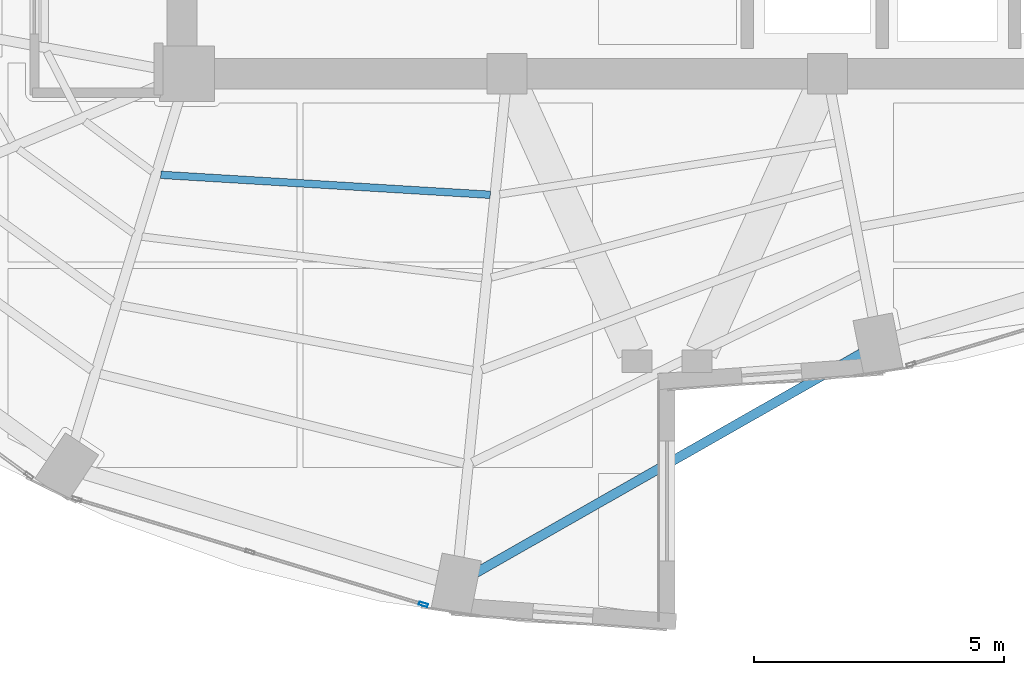
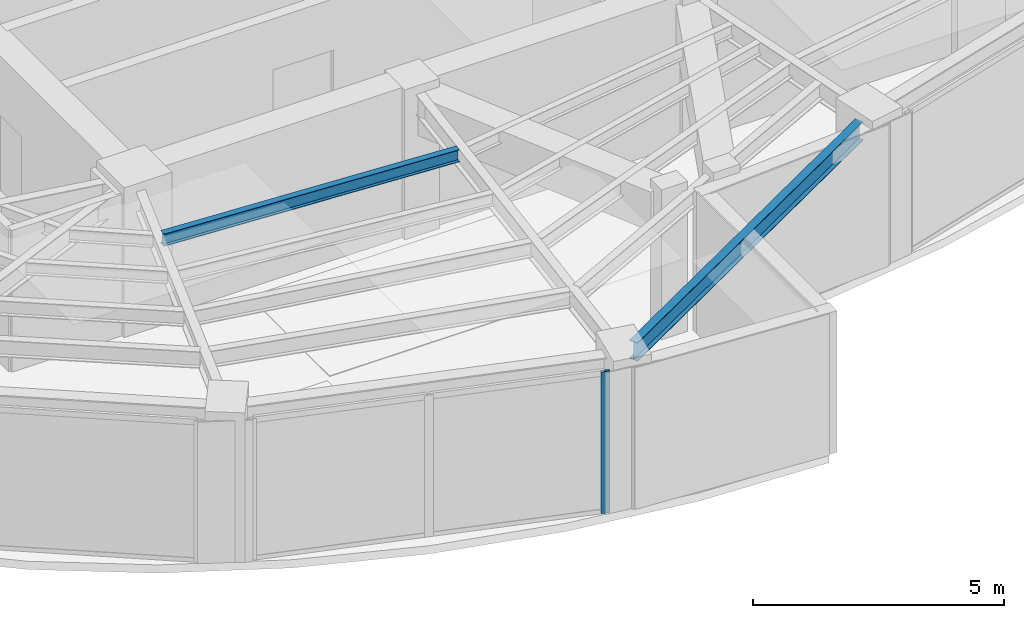
# One storey, part 5 of 22: 2 beams, 1 member, 1 element without a shape of its own.
"""IFC4 building model written with IfcOpenShell, lengths in metres."""

from ifc_helpers import new_model, si_unit, direction, frame, origin, origin_2d, place, context, subcontext, project, spatial, hollow_rectangle, i_section, extrude, material, layer, layer_set, material_profile, profile_set, type_object, element, aggregate, save


model = new_model("IFC4")

# Units and contexts
model_context = context("Model", 3, precision=1e-05, world=origin(), true_north=direction((0.0, 1.0)))
body_context = subcontext(model_context, "Body", "Model", "MODEL_VIEW")
ifc_project = project(units=[si_unit("LENGTHUNIT", "METRE"), si_unit("AREAUNIT", "SQUARE_METRE"), si_unit("VOLUMEUNIT", "CUBIC_METRE"), si_unit("PLANEANGLEUNIT", "RADIAN"), si_unit("MASSUNIT", "GRAM", prefix="KILO")], contexts=[model_context])

# Site, building, storey
site_placement = place(None, origin())
site = spatial("IfcSite", under=ifc_project, at=site_placement, CompositionType="ELEMENT")
building_placement = place(site_placement, origin())
building = spatial("IfcBuilding", under=site, at=building_placement, Name="Lazwardi Medical Tower", CompositionType="ELEMENT")
storey_placement = place(building_placement, frame((0.0, 0.0, 227.6640625)))
storey = spatial("IfcBuildingStorey", under=building, at=storey_placement, Name="L59", CompositionType="ELEMENT", Elevation=227.6640625)

# Beams
ifc_material_1 = material(Name="Steel S355", Category="steel")
ifc_material_profile_1 = material_profile(ifc_material_1, i_section(OverallWidth=0.14990234375, OverallDepth=0.300048828125, WebThickness=0.007080078125, FlangeThickness=0.0107421875, at=origin_2d()), Name="IPE 300")
ifc_profile_set_1 = profile_set([ifc_material_profile_1], Name="Steel S355")
beam_type_1 = type_object("IfcBeamType", Name="BM-SJ-03", PredefinedType="JOIST", material=ifc_profile_set_1)
beam_1_placement = place(storey_placement, frame((25.879150390625, 18.3798828125, 3.2978515625), z_axis=(0.998165515862, -0.060544223044, 0.0), x_axis=(0.060544223044, 0.998165515862, 0.0)))
element("IfcBeam", 1, at=beam_1_placement, inside=storey, type_object=beam_type_1, Name="Secondary joist SJ-03 R4 B15 L59", PredefinedType="JOIST", context=body_context, shape_type="SweptSolid", body=[
    extrude(i_section(OverallWidth=0.14990234375, OverallDepth=0.300048828125, WebThickness=0.007080078125, FlangeThickness=0.0107421875, at=origin_2d()), origin(), (0.0, 0.0, 1.0), 6.59716796875),
])
ifc_material_profile_2 = material_profile(ifc_material_1, i_section(OverallWidth=0.18994140625, OverallDepth=0.449951171875, WebThickness=0.009521484375, FlangeThickness=0.0146484375, at=origin_2d()), Name="IPE 450")
ifc_profile_set_2 = profile_set([ifc_material_profile_2], Name="Steel S355")
beam_type_2 = type_object("IfcBeamType", Name="BM-SP-01", PredefinedType="SPANDREL", material=ifc_profile_set_2)
beam_2_placement = place(storey_placement, frame((32.125, 10.394775390625, 3.222900390625), z_axis=(0.868954808466, 0.494891443494, 0.0), x_axis=(-0.494891443494, 0.868954808466, 0.0)))
element("IfcBeam", 2, at=beam_2_placement, inside=storey, type_object=beam_type_2, Name="Spandrel beam SP-01 B16 L59", PredefinedType="SPANDREL", context=body_context, shape_type="SweptSolid", body=[
    extrude(i_section(OverallWidth=0.18994140625, OverallDepth=0.449951171875, WebThickness=0.009521484375, FlangeThickness=0.0146484375, at=origin_2d()), origin(), (0.0, 0.0, 1.0), 8.918701171875),
])

# Curtain wall, member
ifc_material_2 = material(Name="Anodised bronze aluminium and solar control glazing", Category="aluminium")
ifc_layer = layer(ifc_material_2, 0.18994140625)
ifc_layer_set = layer_set([ifc_layer], Name="Anodised bronze aluminium and solar control glazing")
curtain_wall_type = type_object("IfcCurtainWallType", Name="CW-SYS-04", PredefinedType="NOTDEFINED", material=ifc_layer_set)
curtain_wall_placement = place(storey_placement, origin())
curtain_wall = element("IfcCurtainWall", 3, at=curtain_wall_placement, inside=storey, type_object=curtain_wall_type, Name="L59 Unitised bronze curtain wall CW-04", PredefinedType="NOTDEFINED")
ifc_material_3 = material(Name="Anodised bronze aluminium", Category="aluminium")
ifc_material_profile_3 = material_profile(ifc_material_3, hollow_rectangle(XDim=0.06494140625, YDim=0.179931640625, WallThickness=0.00390625, at=origin_2d()), Name="ALU-MULLION 180x65x4")
ifc_profile_set_3 = profile_set([ifc_material_profile_3], Name="Anodised bronze aluminium")
member_type = type_object("IfcMemberType", Name="CW-MUL-03", PredefinedType="MULLION", material=ifc_profile_set_3)
member_placement = place(storey_placement, frame((31.126953125, 9.79296875, 0.0), z_axis=(0.0, 0.0, 1.0), x_axis=(0.290581889515, 0.956850126972, 0.0)))
member = element("IfcMember", 4, at=member_placement, type_object=member_type, Name="CW-04 mullion 3", PredefinedType="MULLION", context=body_context, shape_type="SweptSolid", body=[
    extrude(hollow_rectangle(XDim=0.06494140625, YDim=0.179931640625, WallThickness=0.00390625, at=origin_2d()), origin(), (0.0, 0.0, 1.0), 3.447998046875),
])
aggregate(curtain_wall, [member])

save(model, "model.ifc")
